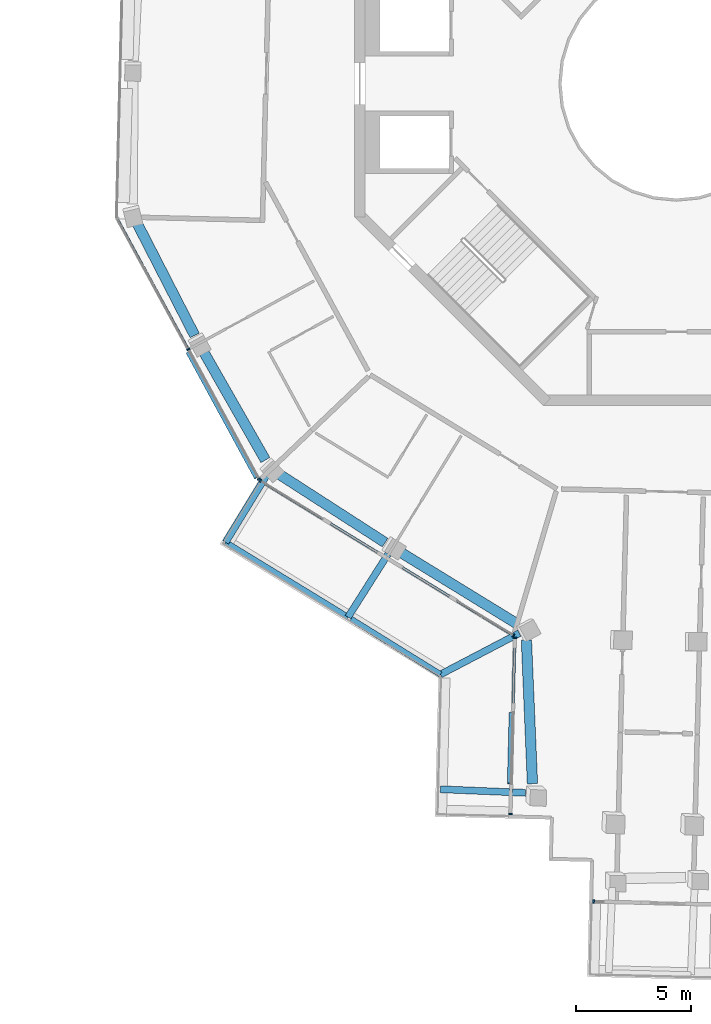
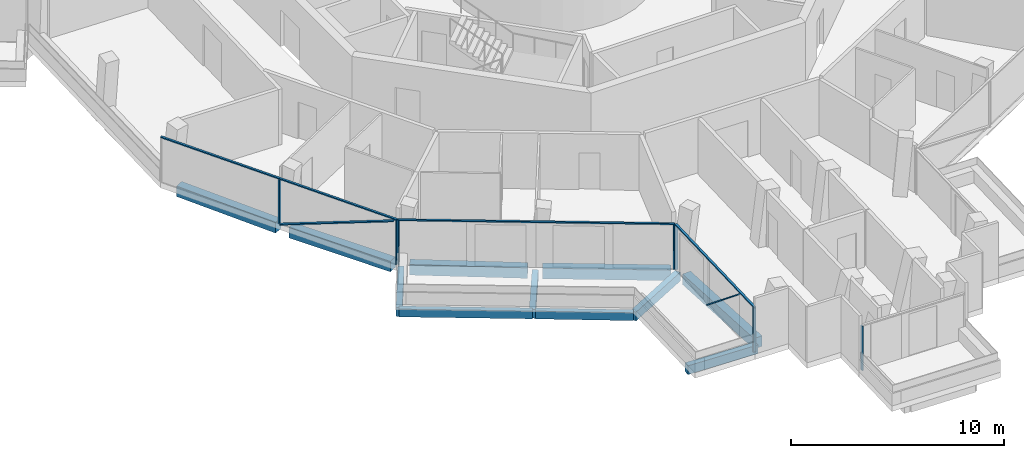
# One storey, part 2 of 24: 12 members, 11 beams, 4 elements without a shape of their own.
"""IFC4 building model written with IfcOpenShell, lengths in metres."""

from ifc_helpers import new_model, si_unit, direction, frame, origin, origin_2d, place, context, subcontext, project, spatial, rectangle, extrude, material, layer, layer_set, material_profile, profile_set, type_object, element, aggregate, save


model = new_model("IFC4")

# Units and contexts
model_context = context("Model", 3, precision=1e-05, world=origin(), true_north=direction((0.0, 1.0)))
body_context = subcontext(model_context, "Body", "Model", "MODEL_VIEW")
ifc_project = project(units=[si_unit("LENGTHUNIT", "METRE"), si_unit("AREAUNIT", "SQUARE_METRE"), si_unit("VOLUMEUNIT", "CUBIC_METRE"), si_unit("PLANEANGLEUNIT", "RADIAN"), si_unit("MASSUNIT", "GRAM", prefix="KILO")], contexts=[model_context])

# Site, building, storey
site_placement = place(None, origin())
site = spatial("IfcSite", under=ifc_project, at=site_placement, CompositionType="ELEMENT")
building_placement = place(site_placement, origin())
building = spatial("IfcBuilding", under=site, at=building_placement, Name="Verdalira Terraces Hotel", CompositionType="ELEMENT")
storey_placement = place(building_placement, frame((0.0, 0.0, 274.0)))
storey = spatial("IfcBuildingStorey", under=building, at=storey_placement, Name="L67", CompositionType="ELEMENT", Elevation=274.0)

# Beams
ifc_material_1 = material(Name="Concrete C40", Category="concrete")
ifc_material_profile_1 = material_profile(ifc_material_1, rectangle(XDim=0.300049, YDim=0.5, at=origin_2d()), Name="RC 300X500")
ifc_profile_set_1 = profile_set([ifc_material_profile_1], Name="Concrete C40")
beam_type_1 = type_object("IfcBeamType", Name="Balcony cantilever beam RC 300X500 C40", PredefinedType="BEAM", material=ifc_profile_set_1)
beam_1_placement = place(storey_placement, frame((-6.569092, -30.856689, -0.560059), z_axis=(-0.999123349, 0.041863262, 0.0), x_axis=(-0.041863262, -0.999123349, 0.0)))
element("IfcBeam", 1, at=beam_1_placement, inside=storey, type_object=beam_type_1, Name="Balcony cantilever beam R13-1", PredefinedType="BEAM", context=body_context, shape_type="SweptSolid", body=[
    extrude(rectangle(XDim=0.300049, YDim=0.5, at=origin_2d()), origin(), (0.0, 0.0, 1.0), 3.708984),
])
beam_2_placement = place(storey_placement, frame((-17.851074, -17.070557, -0.560059), z_axis=(-0.521578451, -0.853203328, 0.0), x_axis=(0.853203328, -0.521578451, 0.0)))
element("IfcBeam", 2, at=beam_2_placement, inside=storey, type_object=beam_type_1, Name="Balcony cantilever beam R13-2", PredefinedType="BEAM", context=body_context, shape_type="SweptSolid", body=[
    extrude(rectangle(XDim=0.300049, YDim=0.5, at=origin_2d()), origin(), (0.0, 0.0, 1.0), 3.382812),
])
beam_3_placement = place(storey_placement, frame((-12.548584, -20.467529, -0.560059), z_axis=(-0.535859446, -0.844307203, 0.0), x_axis=(0.844307203, -0.535859446, 0.0)))
element("IfcBeam", 3, at=beam_3_placement, inside=storey, type_object=beam_type_1, Name="Balcony cantilever beam R13-3", PredefinedType="BEAM", context=body_context, shape_type="SweptSolid", body=[
    extrude(rectangle(XDim=0.300049, YDim=0.5, at=origin_2d()), origin(), (0.0, 0.0, 1.0), 3.250732),
])
beam_4_placement = place(storey_placement, frame((-6.83374, -23.911377, -0.560059), z_axis=(-0.886213681, -0.463276711, 0.0), x_axis=(0.463276711, -0.886213681, 0.0)))
element("IfcBeam", 4, at=beam_4_placement, inside=storey, type_object=beam_type_1, Name="Balcony cantilever beam R13-4", PredefinedType="BEAM", context=body_context, shape_type="SweptSolid", body=[
    extrude(rectangle(XDim=0.300049, YDim=0.5, at=origin_2d()), origin(), (0.0, 0.0, 1.0), 3.873291),
])
ifc_material_2 = material(Name="Concrete C40", Category="concrete")
ifc_material_profile_2 = material_profile(ifc_material_2, rectangle(XDim=0.25, YDim=0.449951, at=origin_2d()), Name="RC 250X450")
ifc_profile_set_2 = profile_set([ifc_material_profile_2], Name="Concrete C40")
beam_type_2 = type_object("IfcBeamType", Name="Balcony edge beam RC 250X450 C40", PredefinedType="BEAM", material=ifc_profile_set_2)
beam_5_placement = place(storey_placement, frame((-19.615479, -19.956787, -0.534912), z_axis=(0.853193829, -0.52159399, 0.0), x_axis=(0.52159399, 0.853193829, 0.0)))
element("IfcBeam", 5, at=beam_5_placement, inside=storey, type_object=beam_type_2, Name="Balcony edge beam R13-1", PredefinedType="BEAM", context=body_context, shape_type="SweptSolid", body=[
    extrude(rectangle(XDim=0.25, YDim=0.449951, at=origin_2d()), origin(), (0.0, 0.0, 1.0), 6.241211),
])
beam_6_placement = place(storey_placement, frame((-14.163086, -23.29126, -0.534912), z_axis=(0.850041476, -0.526715757, 0.0), x_axis=(0.526715757, 0.850041476, 0.0)))
element("IfcBeam", 6, at=beam_6_placement, inside=storey, type_object=beam_type_2, Name="Balcony edge beam R13-2", PredefinedType="BEAM", context=body_context, shape_type="SweptSolid", body=[
    extrude(rectangle(XDim=0.25, YDim=0.449951, at=origin_2d()), origin(), (0.0, 0.0, 1.0), 4.584229),
])

# Curtain wall, members
ifc_material_3 = material(Name="Clear glass", Category="glass")
ifc_layer_1 = layer(ifc_material_3, 0.14990234375)
ifc_layer_set_1 = layer_set([ifc_layer_1], Name="CW1 curtain wall")
curtain_wall_type_1 = type_object("IfcCurtainWallType", Name="CW1 curtain wall", PredefinedType="NOTDEFINED", material=ifc_layer_set_1)
curtain_wall_1_placement = place(storey_placement, origin())
curtain_wall_1 = element("IfcCurtainWall", 7, at=curtain_wall_1_placement, inside=storey, type_object=curtain_wall_type_1, Name="CW1 curtain wall L67 edge 12", PredefinedType="NOTDEFINED")
ifc_material_4 = material(Name="Terracotta frame", Category="masonry")
ifc_material_profile_3 = material_profile(ifc_material_4, rectangle(XDim=0.060059, YDim=0.149902, at=origin_2d()), Name="MU 60x150")
ifc_profile_set_3 = profile_set([ifc_material_profile_3], Name="Terracotta frame")
member_type_1 = type_object("IfcMemberType", Name="CW1 mullion 60x150", PredefinedType="MULLION", material=ifc_profile_set_3)
member_1_placement = place(storey_placement, frame((-21.240723, -11.561523, 0.0), z_axis=(0.0, 0.0, 1.0), x_axis=(0.478078794, -0.878316951, 0.0)))
member_1 = element("IfcMember", 8, at=member_1_placement, type_object=member_type_1, Name="CW1 mullion", PredefinedType="MULLION", context=body_context, shape_type="SweptSolid", body=[
    extrude(rectangle(XDim=0.060059, YDim=0.149902, at=origin_2d()), origin(), (0.0, 0.0, 1.0), 2.524902),
])
member_2_placement = place(storey_placement, frame((-18.166748, -17.208984, 0.0), z_axis=(0.0, 0.0, 1.0), x_axis=(0.478078794, -0.878316951, 0.0)))
member_2 = element("IfcMember", 9, at=member_2_placement, type_object=member_type_1, Name="CW1 mullion", PredefinedType="MULLION", context=body_context, shape_type="SweptSolid", body=[
    extrude(rectangle(XDim=0.060059, YDim=0.149902, at=origin_2d()), origin(), (0.0, 0.0, 1.0), 2.524902),
])

curtain_wall_2_placement = place(storey_placement, origin())
curtain_wall_2 = element("IfcCurtainWall", 10, at=curtain_wall_2_placement, inside=storey, type_object=curtain_wall_type_1, Name="CW1 curtain wall L67 edge 13", PredefinedType="NOTDEFINED")
member_3_placement = place(storey_placement, frame((-18.100098, -17.279053, 0.0), z_axis=(0.0, 0.0, 1.0), x_axis=(0.853186856, -0.521605396, 0.0)))
member_3 = element("IfcMember", 11, at=member_3_placement, type_object=member_type_1, Name="CW1 mullion", PredefinedType="MULLION", context=body_context, shape_type="SweptSolid", body=[
    extrude(rectangle(XDim=0.060059, YDim=0.149902, at=origin_2d()), origin(), (0.0, 0.0, 1.0), 2.524902),
])
member_4_placement = place(storey_placement, frame((-7.093994, -24.007568, 0.0), z_axis=(0.0, 0.0, 1.0), x_axis=(0.853186856, -0.521605396, 0.0)))
member_4 = element("IfcMember", 12, at=member_4_placement, type_object=member_type_1, Name="CW1 mullion", PredefinedType="MULLION", context=body_context, shape_type="SweptSolid", body=[
    extrude(rectangle(XDim=0.060059, YDim=0.149902, at=origin_2d()), origin(), (0.0, 0.0, 1.0), 2.524902),
])

# Member
ifc_material_5 = material(Name="Terracotta frame", Category="masonry")
ifc_material_profile_4 = material_profile(ifc_material_5, rectangle(XDim=0.110107, YDim=0.064941, at=origin_2d()), Name="TR 65x110")
ifc_profile_set_4 = profile_set([ifc_material_profile_4], Name="Terracotta frame")
member_type_2 = type_object("IfcMemberType", Name="CW1 transom 65x110", PredefinedType="USERDEFINED", material=ifc_profile_set_4)
member_5_placement = place(storey_placement, frame((-24.348145, -5.852539, 2.557617), z_axis=(0.478078494, -0.878317114, 0.0), x_axis=(0.878317114, 0.478078494, 0.0)))
member_5 = element("IfcMember", 13, at=member_5_placement, type_object=member_type_2, Name="CW1 transom", ObjectType="TRANSOM", PredefinedType="USERDEFINED", context=body_context, shape_type="SweptSolid", body=[
    extrude(rectangle(XDim=0.110107, YDim=0.064941, at=origin_2d()), origin(), (0.0, 0.0, 1.0), 12.959717),
])

member_6_placement = place(storey_placement, frame((-18.125488, -17.263428, 2.557617), z_axis=(0.853183098, -0.521611543, 0.0), x_axis=(0.521611543, 0.853183098, 0.0)))
member_6 = element("IfcMember", 14, at=member_6_placement, type_object=member_type_2, Name="CW1 transom", ObjectType="TRANSOM", PredefinedType="USERDEFINED", context=body_context, shape_type="SweptSolid", body=[
    extrude(rectangle(XDim=0.110107, YDim=0.064941, at=origin_2d()), origin(), (0.0, 0.0, 1.0), 12.959961),
])

aggregate(curtain_wall_2, [member_3, member_4, member_6])

# Curtain wall, members
ifc_material_6 = material(Name="Clear glass", Category="glass")
ifc_layer_2 = layer(ifc_material_6, 0.14990234375)
ifc_layer_set_2 = layer_set([ifc_layer_2], Name="CW2 curtain wall")
curtain_wall_type_2 = type_object("IfcCurtainWallType", Name="CW2 curtain wall", PredefinedType="NOTDEFINED", material=ifc_layer_set_2)
curtain_wall_3_placement = place(storey_placement, origin())
curtain_wall_3 = element("IfcCurtainWall", 15, at=curtain_wall_3_placement, inside=storey, type_object=curtain_wall_type_2, Name="CW2 curtain wall L67 edge 14", PredefinedType="NOTDEFINED")
ifc_material_7 = material(Name="Terracotta frame", Category="masonry")
ifc_material_profile_5 = material_profile(ifc_material_7, rectangle(XDim=0.070068, YDim=0.149902, at=origin_2d()), Name="MU 70x150")
ifc_profile_set_5 = profile_set([ifc_material_profile_5], Name="Terracotta frame")
member_type_3 = type_object("IfcMemberType", Name="CW2 mullion 70x150", PredefinedType="MULLION", material=ifc_profile_set_5)
member_7_placement = place(storey_placement, frame((-7.033447, -24.124268, 0.0), z_axis=(0.0, 0.0, 1.0), x_axis=(-0.025130095, -0.999684189, 0.0)))
member_7 = element("IfcMember", 16, at=member_7_placement, type_object=member_type_3, Name="CW2 mullion", PredefinedType="MULLION", context=body_context, shape_type="SweptSolid", body=[
    extrude(rectangle(XDim=0.070068, YDim=0.149902, at=origin_2d()), origin(), (0.0, 0.0, 1.0), 2.524902),
])
member_8_placement = place(storey_placement, frame((-7.226074, -31.784424, 0.0), z_axis=(0.0, 0.0, 1.0), x_axis=(-0.025130095, -0.999684189, 0.0)))
member_8 = element("IfcMember", 17, at=member_8_placement, type_object=member_type_3, Name="CW2 mullion", PredefinedType="MULLION", context=body_context, shape_type="SweptSolid", body=[
    extrude(rectangle(XDim=0.070068, YDim=0.149902, at=origin_2d()), origin(), (0.0, 0.0, 1.0), 2.524902),
])
ifc_material_8 = material(Name="Terracotta frame", Category="masonry")
ifc_material_profile_6 = material_profile(ifc_material_8, rectangle(XDim=0.11499, YDim=0.064941, at=origin_2d()), Name="TR 65x115")
ifc_profile_set_6 = profile_set([ifc_material_profile_6], Name="Terracotta frame")
member_type_4 = type_object("IfcMemberType", Name="CW2 transom 65x115", PredefinedType="USERDEFINED", material=ifc_profile_set_6)
member_9_placement = place(storey_placement, frame((-7.032471, -24.089111, 2.557617), z_axis=(-0.025131813, -0.999684146, 0.0), x_axis=(0.999684146, -0.025131813, 0.0)))
member_9 = element("IfcMember", 18, at=member_9_placement, type_object=member_type_4, Name="CW2 transom", ObjectType="TRANSOM", PredefinedType="USERDEFINED", context=body_context, shape_type="SweptSolid", body=[
    extrude(rectangle(XDim=0.11499, YDim=0.064941, at=origin_2d()), origin(), (0.0, 0.0, 1.0), 7.732666),
])

# Curtain wall, member
ifc_material_9 = material(Name="Clear glass", Category="glass")
ifc_layer_3 = layer(ifc_material_9, 0.14990234375)
ifc_layer_set_3 = layer_set([ifc_layer_3], Name="CW3 curtain wall")
curtain_wall_type_3 = type_object("IfcCurtainWallType", Name="CW3 curtain wall", PredefinedType="NOTDEFINED", material=ifc_layer_set_3)
curtain_wall_4_placement = place(storey_placement, origin())
curtain_wall_4 = element("IfcCurtainWall", 19, at=curtain_wall_4_placement, inside=storey, type_object=curtain_wall_type_3, Name="CW3 curtain wall L67 edge 19", PredefinedType="NOTDEFINED")
ifc_material_10 = material(Name="Terracotta frame", Category="masonry")
ifc_material_profile_7 = material_profile(ifc_material_10, rectangle(XDim=0.080078, YDim=0.149902, at=origin_2d()), Name="MU 80x150")
ifc_profile_set_7 = profile_set([ifc_material_profile_7], Name="Terracotta frame")
member_type_5 = type_object("IfcMemberType", Name="CW3 mullion 80x150", PredefinedType="MULLION", material=ifc_profile_set_7)
member_10_placement = place(storey_placement, frame((-3.605469, -35.58667, 0.0), z_axis=(0.0, 0.0, 1.0), x_axis=(0.999684189, -0.025130095, 0.0)))
member_10 = element("IfcMember", 20, at=member_10_placement, type_object=member_type_5, Name="CW3 mullion", PredefinedType="MULLION", context=body_context, shape_type="SweptSolid", body=[
    extrude(rectangle(XDim=0.080078, YDim=0.149902, at=origin_2d()), origin(), (0.0, 0.0, 1.0), 2.524902),
])
aggregate(curtain_wall_4, [member_10])

# Member
ifc_material_11 = material(Name="Terracotta frame", Category="masonry")
ifc_material_profile_8 = material_profile(ifc_material_11, rectangle(XDim=0.149902, YDim=0.060059, at=origin_2d()), Name="GB 60x150")
ifc_profile_set_8 = profile_set([ifc_material_profile_8], Name="Terracotta frame")
member_type_6 = type_object("IfcMemberType", Name="Diagonal glazing bar 60x150", PredefinedType="USERDEFINED", material=ifc_profile_set_8)
member_11_placement = place(storey_placement, frame((-21.27002, -11.693848, 0.028564), z_axis=(0.444449827, -0.816495638, 0.368509462), x_axis=(0.878307403, 0.478096336, 0.0)))
member_11 = element("IfcMember", 21, at=member_11_placement, type_object=member_type_6, Name="Diagonal glazing bar", ObjectType="GLAZING BAR", PredefinedType="USERDEFINED", context=body_context, shape_type="SweptSolid", body=[
    extrude(rectangle(XDim=0.149902, YDim=0.060059, at=origin_2d()), origin(), (0.0, 0.0, 1.0), 6.696533),
])

aggregate(curtain_wall_1, [member_1, member_2, member_5, member_11])

member_12_placement = place(storey_placement, frame((-7.206543, -27.38623, 0.024658), z_axis=(-0.019531134, -0.777339131, 0.628778506), x_axis=(0.999684501, -0.025117701, 0.0)))
member_12 = element("IfcMember", 22, at=member_12_placement, type_object=member_type_6, Name="Diagonal glazing bar", ObjectType="GLAZING BAR", PredefinedType="USERDEFINED", context=body_context, shape_type="SweptSolid", body=[
    extrude(rectangle(XDim=0.149902, YDim=0.060059, at=origin_2d()), origin(), (0.0, 0.0, 1.0), 3.9375),
])

aggregate(curtain_wall_3, [member_7, member_8, member_9, member_12])

# Beams
ifc_material_12 = material(Name="Concrete C40", Category="concrete")
ifc_material_profile_9 = material_profile(ifc_material_12, rectangle(XDim=0.449951, YDim=0.600098, at=origin_2d()), Name="RC 450X600")
ifc_profile_set_9 = profile_set([ifc_material_profile_9], Name="Concrete C40")
beam_type_3 = type_object("IfcBeamType", Name="Spandrel beam RC 450X600 C40", PredefinedType="SPANDREL", material=ifc_profile_set_9)
beam_7_placement = place(storey_placement, frame((-23.485596, -6.039795, -0.610107), z_axis=(0.456611837, -0.889666022, 0.0), x_axis=(0.889666022, 0.456611837, 0.0)))
element("IfcBeam", 23, at=beam_7_placement, inside=storey, type_object=beam_type_3, Name="Spandrel beam B06", PredefinedType="SPANDREL", context=body_context, shape_type="SweptSolid", body=[
    extrude(rectangle(XDim=0.449951, YDim=0.600098, at=origin_2d()), origin(), (0.0, 0.0, 1.0), 5.523682),
])
beam_8_placement = place(storey_placement, frame((-20.622559, -11.583008, -0.610107), z_axis=(0.495724596, -0.868479778, 0.0), x_axis=(0.868479778, 0.495724596, 0.0)))
element("IfcBeam", 24, at=beam_8_placement, inside=storey, type_object=beam_type_3, Name="Spandrel beam B07", PredefinedType="SPANDREL", context=body_context, shape_type="SweptSolid", body=[
    extrude(rectangle(XDim=0.449951, YDim=0.600098, at=origin_2d()), origin(), (0.0, 0.0, 1.0), 5.52124),
])
beam_9_placement = place(storey_placement, frame((-17.319092, -16.973633, -0.610107), z_axis=(0.84027976, -0.542153045, 0.0), x_axis=(0.542153045, 0.84027976, 0.0)))
element("IfcBeam", 25, at=beam_9_placement, inside=storey, type_object=beam_type_3, Name="Spandrel beam B08", PredefinedType="SPANDREL", context=body_context, shape_type="SweptSolid", body=[
    extrude(rectangle(XDim=0.449951, YDim=0.600098, at=origin_2d()), origin(), (0.0, 0.0, 1.0), 5.523682),
])
beam_10_placement = place(storey_placement, frame((-12.078857, -20.345215, -0.610107), z_axis=(0.852118162, -0.523349442, 0.0), x_axis=(0.523349442, 0.852118162, 0.0)))
element("IfcBeam", 26, at=beam_10_placement, inside=storey, type_object=beam_type_3, Name="Spandrel beam B09", PredefinedType="SPANDREL", context=body_context, shape_type="SweptSolid", body=[
    extrude(rectangle(XDim=0.449951, YDim=0.600098, at=origin_2d()), origin(), (0.0, 0.0, 1.0), 6.01123),
])
beam_11_placement = place(storey_placement, frame((-6.528076, -24.207764, -0.610107), z_axis=(0.04197126, -0.999118818, 0.0), x_axis=(0.999118818, 0.04197126, 0.0)))
element("IfcBeam", 27, at=beam_11_placement, inside=storey, type_object=beam_type_3, Name="Spandrel beam B10", PredefinedType="SPANDREL", context=body_context, shape_type="SweptSolid", body=[
    extrude(rectangle(XDim=0.449951, YDim=0.600098, at=origin_2d()), origin(), (0.0, 0.0, 1.0), 6.259033),
])

save(model, "model.ifc")
